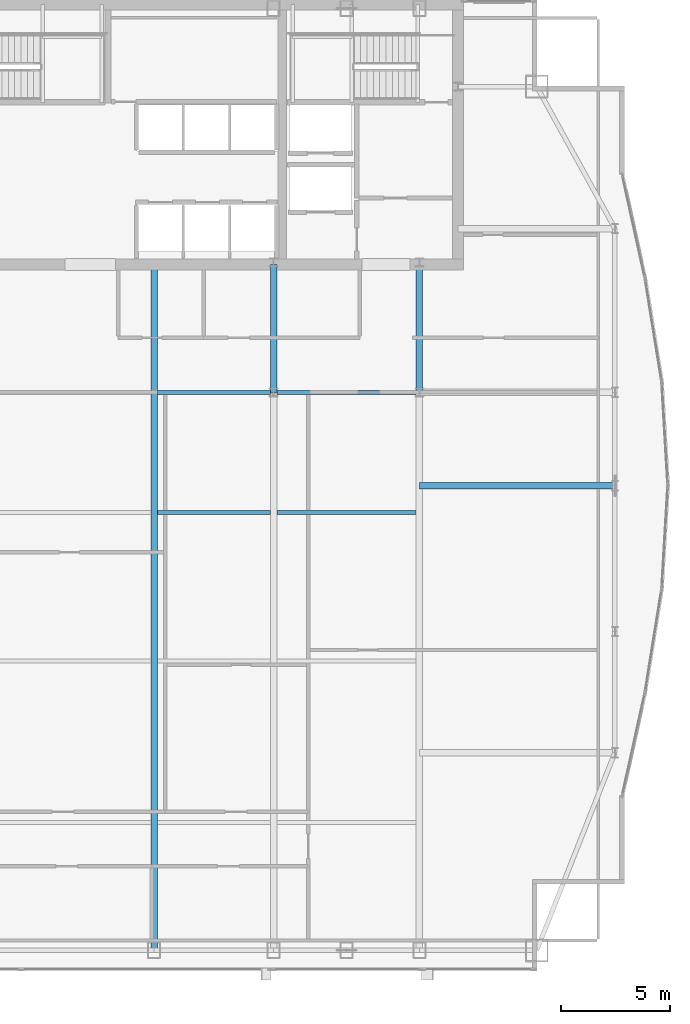
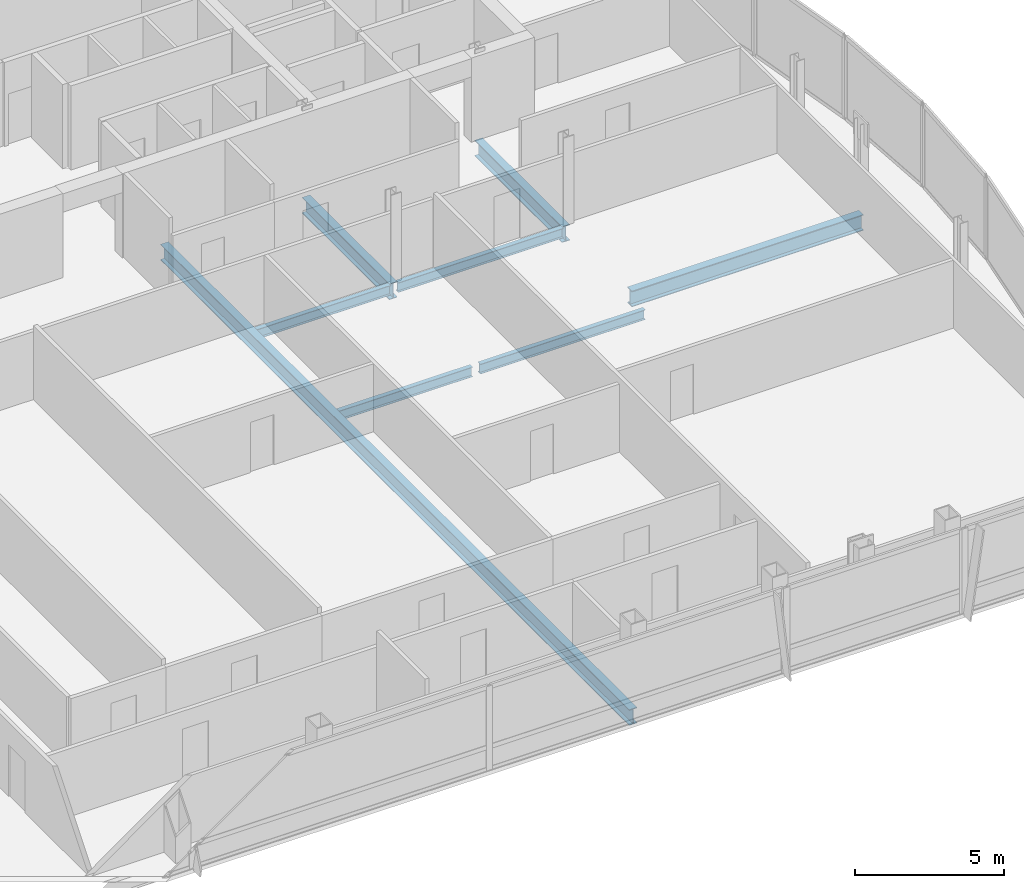
# One storey, part 17 of 30: 8 beams.
"""IFC4 building model written with IfcOpenShell, lengths in metres."""

from ifc_helpers import new_model, si_unit, direction, frame, origin, origin_2d, place, context, subcontext, project, spatial, i_section, extrude, material, material_profile, profile_set, type_object, element, save


model = new_model("IFC4")

# Units and contexts
model_context = context("Model", 3, precision=1e-05, world=origin(), true_north=direction((0.0, 1.0)))
body_context = subcontext(model_context, "Body", "Model", "MODEL_VIEW")
ifc_project = project(units=[si_unit("LENGTHUNIT", "METRE"), si_unit("AREAUNIT", "SQUARE_METRE"), si_unit("VOLUMEUNIT", "CUBIC_METRE"), si_unit("PLANEANGLEUNIT", "RADIAN"), si_unit("MASSUNIT", "GRAM", prefix="KILO")], contexts=[model_context])

# Site, building, storey
site_placement = place(None, origin())
site = spatial("IfcSite", under=ifc_project, at=site_placement, CompositionType="ELEMENT")
building_placement = place(site_placement, origin())
building = spatial("IfcBuilding", under=site, at=building_placement, Name="Khoronbel Lancet Exchange", CompositionType="ELEMENT")
storey_placement = place(building_placement, frame((0.0, 0.0, 269.800048828125)))
storey = spatial("IfcBuildingStorey", under=building, at=storey_placement, Name="L69", CompositionType="ELEMENT", Elevation=269.800048828125)

# Beams
ifc_material = material(Name="Steel S355", Category="steel")
ifc_material_profile_1 = material_profile(ifc_material, i_section(OverallWidth=0.300048828125, OverallDepth=0.64990234375, WebThickness=0.01611328125, FlangeThickness=0.031005859375, at=origin_2d()), Name="HEB 650")
ifc_profile_set_1 = profile_set([ifc_material_profile_1], Name="Steel S355")
beam_type_1 = type_object("IfcBeamType", Name="BM-BG4", PredefinedType="BEAM", material=ifc_profile_set_1)
beam_1_placement = place(storey_placement, frame((42.52490234375, 10.14990234375, -0.485107421875), z_axis=(0.0, 1.0, 0.0), x_axis=(-1.0, 0.0, 0.0)))
element("IfcBeam", 1, at=beam_1_placement, inside=storey, type_object=beam_type_1, Name="Level L69 primary floor girder G4", PredefinedType="BEAM", context=body_context, shape_type="SweptSolid", body=[
    extrude(i_section(OverallWidth=0.300048828125, OverallDepth=0.64990234375, WebThickness=0.01611328125, FlangeThickness=0.031005859375, at=origin_2d()), origin(), (0.0, 0.0, 1.0), 31.400146484375),
])
for number, where, z_axis, x_axis, name in (
    (2, (48.0, 35.699951171875, -0.485107421875), (0.0, 1.0, 0.0), (-1.0, 0.0, 0.0), "Level L69 spine tie girder GN5"),
    (3, (54.675048828125, 35.699951171875, -0.485107421875), (0.0, 1.0, 0.0), (-1.0, 0.0, 0.0), "Level L69 spine tie girder GN6"),
):
    element("IfcBeam", number, at=place(storey_placement, frame(where, z_axis=z_axis, x_axis=x_axis)), inside=storey, type_object=beam_type_1, Name=name, PredefinedType="BEAM", context=body_context, shape_type="SweptSolid", body=[
        extrude(i_section(OverallWidth=0.300048828125, OverallDepth=0.64990234375, WebThickness=0.01611328125, FlangeThickness=0.031005859375, at=origin_2d()), origin(), (0.0, 0.0, 1.0), 5.85009765625),
    ])
beam_2_placement = place(storey_placement, frame((54.675048828125, 31.425048828125, -0.485107421875), z_axis=(1.0, 0.0, 0.0), x_axis=(0.0, 1.0, 0.0)))
element("IfcBeam", 4, at=beam_2_placement, inside=storey, type_object=beam_type_1, Name="Level L69 east lens tie girder LG2E", PredefinedType="BEAM", context=body_context, shape_type="SweptSolid", body=[
    extrude(i_section(OverallWidth=0.300048828125, OverallDepth=0.64990234375, WebThickness=0.01611328125, FlangeThickness=0.031005859375, at=origin_2d()), origin(), (0.0, 0.0, 1.0), 8.954833984375),
])
ifc_material_profile_2 = material_profile(ifc_material, i_section(OverallWidth=0.179931640625, OverallDepth=0.39990234375, WebThickness=0.008544921875, FlangeThickness=0.013427734375, at=origin_2d()), Name="IPE 400")
ifc_profile_set_2 = profile_set([ifc_material_profile_2], Name="Steel S355")
beam_type_2 = type_object("IfcBeamType", Name="BM-BJ5", PredefinedType="JOIST", material=ifc_profile_set_2)
beam_3_placement = place(storey_placement, frame((42.675048828125, 30.199951171875, -0.360107421875), z_axis=(1.0, 0.0, 0.0), x_axis=(0.0, 1.0, 0.0)))
element("IfcBeam", 5, at=beam_3_placement, inside=storey, type_object=beam_type_2, Name="Level L69 secondary composite joist J14", PredefinedType="JOIST", context=body_context, shape_type="SweptSolid", body=[
    extrude(i_section(OverallWidth=0.179931640625, OverallDepth=0.39990234375, WebThickness=0.008544921875, FlangeThickness=0.013427734375, at=origin_2d()), origin(), (0.0, 0.0, 1.0), 5.175048828125),
])
beam_4_placement = place(storey_placement, frame((48.14990234375, 30.199951171875, -0.360107421875), z_axis=(1.0, 0.0, 0.0), x_axis=(0.0, 1.0, 0.0)))
element("IfcBeam", 6, at=beam_4_placement, inside=storey, type_object=beam_type_2, Name="Level L69 secondary composite joist J15", PredefinedType="JOIST", context=body_context, shape_type="SweptSolid", body=[
    extrude(i_section(OverallWidth=0.179931640625, OverallDepth=0.39990234375, WebThickness=0.008544921875, FlangeThickness=0.013427734375, at=origin_2d()), origin(), (0.0, 0.0, 1.0), 6.375),
])
beam_5_placement = place(storey_placement, frame((42.675048828125, 35.699951171875, -0.360107421875), z_axis=(1.0, 0.0, 0.0), x_axis=(0.0, 1.0, 0.0)))
element("IfcBeam", 7, at=beam_5_placement, inside=storey, type_object=beam_type_2, Name="Level L69 secondary composite joist J19", PredefinedType="JOIST", context=body_context, shape_type="SweptSolid", body=[
    extrude(i_section(OverallWidth=0.179931640625, OverallDepth=0.39990234375, WebThickness=0.008544921875, FlangeThickness=0.013427734375, at=origin_2d()), origin(), (0.0, 0.0, 1.0), 5.175048828125),
])
beam_6_placement = place(storey_placement, frame((48.14990234375, 35.699951171875, -0.360107421875), z_axis=(1.0, 0.0, 0.0), x_axis=(0.0, 1.0, 0.0)))
element("IfcBeam", 8, at=beam_6_placement, inside=storey, type_object=beam_type_2, Name="Level L69 secondary composite joist J20", PredefinedType="JOIST", context=body_context, shape_type="SweptSolid", body=[
    extrude(i_section(OverallWidth=0.179931640625, OverallDepth=0.39990234375, WebThickness=0.008544921875, FlangeThickness=0.013427734375, at=origin_2d()), origin(), (0.0, 0.0, 1.0), 6.375),
])

save(model, "model.ifc")
